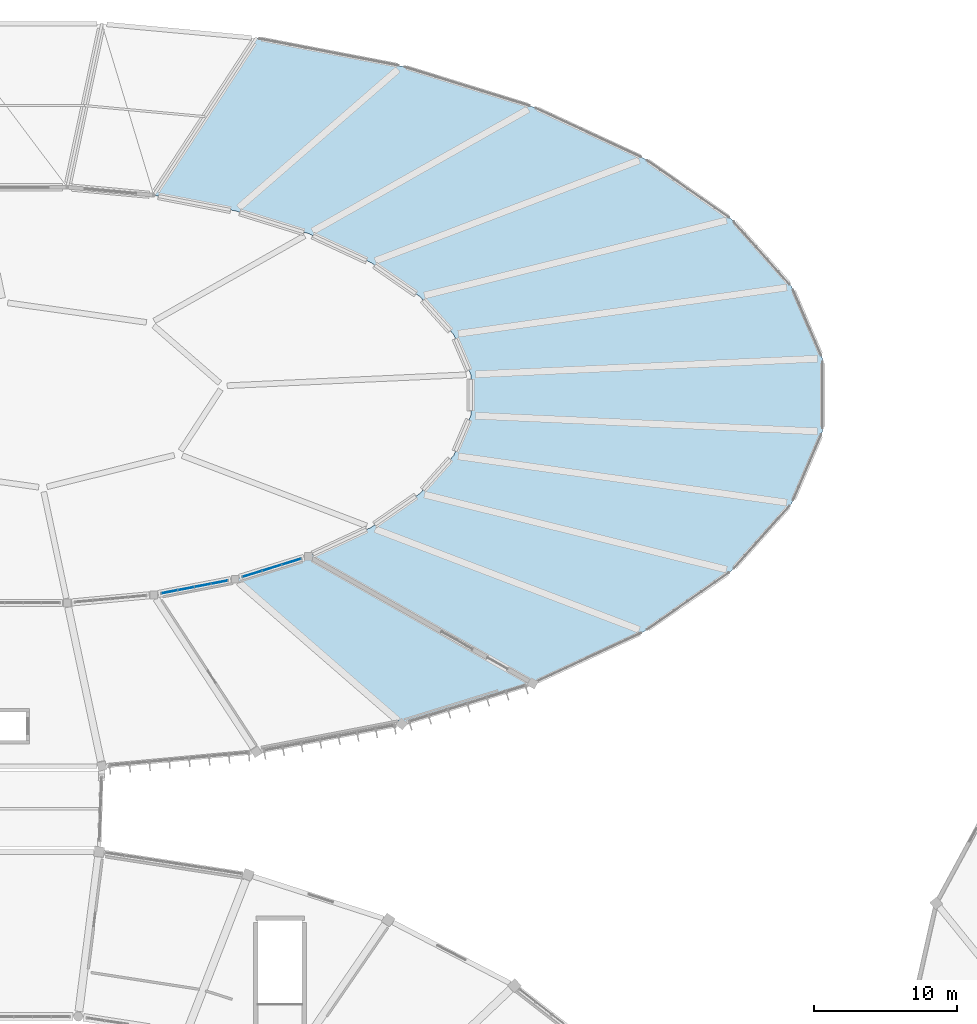
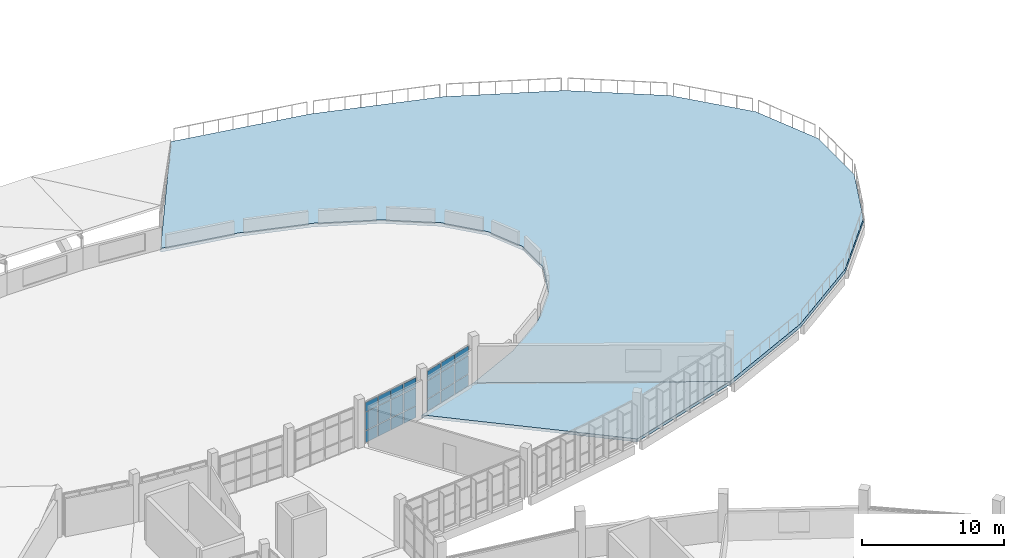
# One storey, part 85 of 142: 21 plates, 2 slabs, 2 elements without a shape of their own.
"""IFC4 building model written with IfcOpenShell, lengths in metres."""

from ifc_helpers import new_model, si_unit, direction, frame, origin, origin_2d, place, context, subcontext, project, spatial, polyline, rectangle, outline, extrude, material, layer, layer_set, type_object, element, aggregate, save


model = new_model("IFC4")

# Units and contexts
model_context = context("Model", 3, precision=1e-05, world=origin(), true_north=direction((0.0, 1.0)))
body_context = subcontext(model_context, "Body", "Model", "MODEL_VIEW")
ifc_project = project(units=[si_unit("LENGTHUNIT", "METRE"), si_unit("AREAUNIT", "SQUARE_METRE"), si_unit("VOLUMEUNIT", "CUBIC_METRE"), si_unit("PLANEANGLEUNIT", "RADIAN"), si_unit("MASSUNIT", "GRAM", prefix="KILO")], contexts=[model_context])

# Site, building, storey
site_placement = place(None, origin())
site = spatial("IfcSite", under=ifc_project, at=site_placement, CompositionType="ELEMENT")
building_placement = place(site_placement, origin())
building = spatial("IfcBuilding", under=site, at=building_placement, Name="Corvandel Quay Wholesale Market", CompositionType="ELEMENT")
storey_placement = place(building_placement, frame((0.0, 0.0, 10.800048828125)))
storey = spatial("IfcBuildingStorey", under=building, at=storey_placement, Name="L02", CompositionType="ELEMENT", Elevation=10.800048828125)

# Curtain wall, plates
ifc_material_1 = material(Name="Bronze anodised aluminium and low-E insulated glazing", Category="aluminium")
ifc_layer_1 = layer(ifc_material_1, 0.162109375)
ifc_layer_set_1 = layer_set([ifc_layer_1], Name="Bronze anodised aluminium and low-E insulated glazing")
curtain_wall_type_1 = type_object("IfcCurtainWallType", Name="Stick Curtain Wall System CW11 H3990", PredefinedType="NOTDEFINED", material=ifc_layer_set_1)
curtain_wall_1_placement = place(storey_placement, origin())
curtain_wall_1 = element("IfcCurtainWall", 1, at=curtain_wall_1_placement, inside=storey, type_object=curtain_wall_type_1, Name="Curtain Wall CW-0121", PredefinedType="NOTDEFINED")
ifc_material_2 = material(Name="Solar-control low-E insulated glazing", Category="glass")
ifc_layer_2 = layer(ifc_material_2, 0.0400390625)
ifc_layer_set_2 = layer_set([ifc_layer_2], Name="Solar-control low-E insulated glazing")
plate_type_1 = type_object("IfcPlateType", Name="Ceramic Fritted Spandrel Panel PN03 40mm", PredefinedType="CURTAIN_PANEL", material=ifc_layer_set_2)
plate_1_placement = place(storey_placement, frame((124.2509765625, 102.212158203125, 2.679931640625), z_axis=(0.0, 0.0, 1.0), x_axis=(0.982024659632, 0.188752663223, 0.0)))
plate_1 = element("IfcPlate", 2, at=plate_1_placement, type_object=plate_type_1, Name="Glazing Panel CW-0121-P00-2", PredefinedType="CURTAIN_PANEL", context=body_context, shape_type="SweptSolid", body=[
    extrude(rectangle(XDim=1.123046875, YDim=0.0400390625, at=origin_2d()), origin(), (0.0, 0.0, 1.0), 0.7900390625),
])
plate_2_placement = place(storey_placement, frame((125.41748046875, 102.436279296875, 2.679931640625), z_axis=(0.0, 0.0, 1.0), x_axis=(0.982024659632, 0.188752663223, 0.0)))
plate_2 = element("IfcPlate", 3, at=plate_2_placement, type_object=plate_type_1, Name="Glazing Panel CW-0121-P01-2", PredefinedType="CURTAIN_PANEL", context=body_context, shape_type="SweptSolid", body=[
    extrude(rectangle(XDim=1.123046875, YDim=0.0400390625, at=origin_2d()), origin(), (0.0, 0.0, 1.0), 0.7900390625),
])
plate_3_placement = place(storey_placement, frame((126.58447265625, 102.66064453125, 2.679931640625), z_axis=(0.0, 0.0, 1.0), x_axis=(0.982024659632, 0.188752663223, 0.0)))
plate_3 = element("IfcPlate", 4, at=plate_3_placement, type_object=plate_type_1, Name="Glazing Panel CW-0121-P02-2", PredefinedType="CURTAIN_PANEL", context=body_context, shape_type="SweptSolid", body=[
    extrude(rectangle(XDim=1.123046875, YDim=0.0400390625, at=origin_2d()), origin(), (0.0, 0.0, 1.0), 0.7900390625),
])
plate_4_placement = place(storey_placement, frame((127.751220703125, 102.884765625, 2.679931640625), z_axis=(0.0, 0.0, 1.0), x_axis=(0.982024659632, 0.188752663223, 0.0)))
plate_4 = element("IfcPlate", 5, at=plate_4_placement, type_object=plate_type_1, Name="Glazing Panel CW-0121-P03-2", PredefinedType="CURTAIN_PANEL", context=body_context, shape_type="SweptSolid", body=[
    extrude(rectangle(XDim=1.123046875, YDim=0.0400390625, at=origin_2d()), origin(), (0.0, 0.0, 1.0), 0.7900390625),
])

ifc_layer_3 = layer(ifc_material_1, 0.174072265625)
ifc_layer_set_3 = layer_set([ifc_layer_3], Name="Bronze anodised aluminium and low-E insulated glazing")
curtain_wall_type_2 = type_object("IfcCurtainWallType", Name="Stick Curtain Wall System CW12 H4080", PredefinedType="NOTDEFINED", material=ifc_layer_set_3)
curtain_wall_2_placement = place(storey_placement, origin())
curtain_wall_2 = element("IfcCurtainWall", 6, at=curtain_wall_2_placement, inside=storey, type_object=curtain_wall_type_2, Name="Curtain Wall CW-0124", PredefinedType="NOTDEFINED")
plate_5_placement = place(storey_placement, frame((130.048583984375, 103.46728515625, 2.679931640625), z_axis=(0.0, 0.0, 1.0), x_axis=(0.95507168618, 0.296374888035, 0.0)))
plate_5 = element("IfcPlate", 7, at=plate_5_placement, type_object=plate_type_1, Name="Glazing Panel CW-0124-P00-2", PredefinedType="CURTAIN_PANEL", context=body_context, shape_type="SweptSolid", body=[
    extrude(rectangle(XDim=1.374267578125, YDim=0.0400390625, at=origin_2d()), origin(), (0.0, 0.0, 1.0), 0.7900390625),
])
plate_6_placement = place(storey_placement, frame((131.423095703125, 103.89404296875, 2.679931640625), z_axis=(0.0, 0.0, 1.0), x_axis=(0.95507168618, 0.296374888035, 0.0)))
plate_6 = element("IfcPlate", 8, at=plate_6_placement, type_object=plate_type_1, Name="Glazing Panel CW-0124-P01-2", PredefinedType="CURTAIN_PANEL", context=body_context, shape_type="SweptSolid", body=[
    extrude(rectangle(XDim=1.374267578125, YDim=0.0400390625, at=origin_2d()), origin(), (0.0, 0.0, 1.0), 0.7900390625),
])
plate_7_placement = place(storey_placement, frame((132.797607421875, 104.320556640625, 2.679931640625), z_axis=(0.0, 0.0, 1.0), x_axis=(0.95507168618, 0.296374888035, 0.0)))
plate_7 = element("IfcPlate", 9, at=plate_7_placement, type_object=plate_type_1, Name="Glazing Panel CW-0124-P02-2", PredefinedType="CURTAIN_PANEL", context=body_context, shape_type="SweptSolid", body=[
    extrude(rectangle(XDim=1.374267578125, YDim=0.0400390625, at=origin_2d()), origin(), (0.0, 0.0, 1.0), 0.7900390625),
])

# Slab
ifc_material_3 = material(Name="Concrete C40/50", Category="concrete")
ifc_layer_4 = layer(ifc_material_3, 0.260009765625)
ifc_layer_set_4 = layer_set([ifc_layer_4], Name="Concrete C40/50")
slab_type_1 = type_object("IfcSlabType", Name="Composite Market Canteen Floor Slab 260", PredefinedType="FLOOR", material=ifc_layer_set_4)
slab_1_placement = place(storey_placement, frame((0.0, 0.0, -0.260009765625)))
element("IfcSlab", 10, at=slab_1_placement, inside=storey, type_object=slab_type_1, Name="Slab SLB-0358", PredefinedType="FLOOR", context=body_context, shape_type="SweptSolid", body=[
    extrude(outline(polyline([(128.85498046875, 103.096923828125), (133.990966796875, 104.69091796875), (149.697998046875, 95.803955078125), (140.52587890625, 92.958984375), (128.85498046875, 103.096923828125)])), origin(), (0.0, 0.0, 1.0), 0.260009765625),
])

# Plate
ifc_layer_5 = layer(ifc_material_2, 0.028076171875)
ifc_layer_set_5 = layer_set([ifc_layer_5], Name="Solar-control low-E insulated glazing")
plate_type_2 = type_object("IfcPlateType", Name="Double Low-E Vision Panel PN01 28mm", PredefinedType="CURTAIN_PANEL", material=ifc_layer_set_5)
plate_8_placement = place(storey_placement, frame((124.2509765625, 102.212158203125, 0.02978515625), z_axis=(0.0, 0.0, 1.0), x_axis=(0.982024659632, 0.188752663223, 0.0)))
plate_8 = element("IfcPlate", 11, at=plate_8_placement, type_object=plate_type_2, Name="Glazing Panel CW-0121-P00-0", PredefinedType="CURTAIN_PANEL", context=body_context, shape_type="SweptSolid", body=[
    extrude(rectangle(XDim=1.123046875, YDim=0.028076171875, at=origin_2d()), origin(), (0.0, 0.0, 1.0), 0.989990234375),
])

plate_9_placement = place(storey_placement, frame((124.2509765625, 102.212158203125, 1.079833984375), z_axis=(0.0, 0.0, 1.0), x_axis=(0.982024659632, 0.188752663223, 0.0)))
plate_9 = element("IfcPlate", 12, at=plate_9_placement, type_object=plate_type_2, Name="Glazing Panel CW-0121-P00-1", PredefinedType="CURTAIN_PANEL", context=body_context, shape_type="SweptSolid", body=[
    extrude(rectangle(XDim=1.123046875, YDim=0.028076171875, at=origin_2d()), origin(), (0.0, 0.0, 1.0), 1.5400390625),
])

plate_10_placement = place(storey_placement, frame((125.41748046875, 102.436279296875, 0.02978515625), z_axis=(0.0, 0.0, 1.0), x_axis=(0.982024659632, 0.188752663223, 0.0)))
plate_10 = element("IfcPlate", 13, at=plate_10_placement, type_object=plate_type_2, Name="Glazing Panel CW-0121-P01-0", PredefinedType="CURTAIN_PANEL", context=body_context, shape_type="SweptSolid", body=[
    extrude(rectangle(XDim=1.123046875, YDim=0.028076171875, at=origin_2d()), origin(), (0.0, 0.0, 1.0), 0.989990234375),
])

plate_11_placement = place(storey_placement, frame((125.41748046875, 102.436279296875, 1.079833984375), z_axis=(0.0, 0.0, 1.0), x_axis=(0.982024659632, 0.188752663223, 0.0)))
plate_11 = element("IfcPlate", 14, at=plate_11_placement, type_object=plate_type_2, Name="Glazing Panel CW-0121-P01-1", PredefinedType="CURTAIN_PANEL", context=body_context, shape_type="SweptSolid", body=[
    extrude(rectangle(XDim=1.123046875, YDim=0.028076171875, at=origin_2d()), origin(), (0.0, 0.0, 1.0), 1.5400390625),
])

plate_12_placement = place(storey_placement, frame((126.58447265625, 102.66064453125, 0.02978515625), z_axis=(0.0, 0.0, 1.0), x_axis=(0.982024659632, 0.188752663223, 0.0)))
plate_12 = element("IfcPlate", 15, at=plate_12_placement, type_object=plate_type_2, Name="Glazing Panel CW-0121-P02-0", PredefinedType="CURTAIN_PANEL", context=body_context, shape_type="SweptSolid", body=[
    extrude(rectangle(XDim=1.123046875, YDim=0.028076171875, at=origin_2d()), origin(), (0.0, 0.0, 1.0), 0.989990234375),
])

plate_13_placement = place(storey_placement, frame((126.58447265625, 102.66064453125, 1.079833984375), z_axis=(0.0, 0.0, 1.0), x_axis=(0.982024659632, 0.188752663223, 0.0)))
plate_13 = element("IfcPlate", 16, at=plate_13_placement, type_object=plate_type_2, Name="Glazing Panel CW-0121-P02-1", PredefinedType="CURTAIN_PANEL", context=body_context, shape_type="SweptSolid", body=[
    extrude(rectangle(XDim=1.123046875, YDim=0.028076171875, at=origin_2d()), origin(), (0.0, 0.0, 1.0), 1.5400390625),
])

plate_14_placement = place(storey_placement, frame((127.751220703125, 102.884765625, 0.02978515625), z_axis=(0.0, 0.0, 1.0), x_axis=(0.982024659632, 0.188752663223, 0.0)))
plate_14 = element("IfcPlate", 17, at=plate_14_placement, type_object=plate_type_2, Name="Glazing Panel CW-0121-P03-0", PredefinedType="CURTAIN_PANEL", context=body_context, shape_type="SweptSolid", body=[
    extrude(rectangle(XDim=1.123046875, YDim=0.028076171875, at=origin_2d()), origin(), (0.0, 0.0, 1.0), 0.989990234375),
])

plate_15_placement = place(storey_placement, frame((127.751220703125, 102.884765625, 1.079833984375), z_axis=(0.0, 0.0, 1.0), x_axis=(0.982024659632, 0.188752663223, 0.0)))
plate_15 = element("IfcPlate", 18, at=plate_15_placement, type_object=plate_type_2, Name="Glazing Panel CW-0121-P03-1", PredefinedType="CURTAIN_PANEL", context=body_context, shape_type="SweptSolid", body=[
    extrude(rectangle(XDim=1.123046875, YDim=0.028076171875, at=origin_2d()), origin(), (0.0, 0.0, 1.0), 1.5400390625),
])

aggregate(curtain_wall_1, [plate_8, plate_9, plate_1, plate_10, plate_11, plate_2, plate_12, plate_13, plate_3, plate_14, plate_15, plate_4])

plate_16_placement = place(storey_placement, frame((130.048583984375, 103.46728515625, 0.02978515625), z_axis=(0.0, 0.0, 1.0), x_axis=(0.95507168618, 0.296374888035, 0.0)))
plate_16 = element("IfcPlate", 19, at=plate_16_placement, type_object=plate_type_2, Name="Glazing Panel CW-0124-P00-0", PredefinedType="CURTAIN_PANEL", context=body_context, shape_type="SweptSolid", body=[
    extrude(rectangle(XDim=1.374267578125, YDim=0.028076171875, at=origin_2d()), origin(), (0.0, 0.0, 1.0), 0.989990234375),
])

plate_17_placement = place(storey_placement, frame((130.048583984375, 103.46728515625, 1.079833984375), z_axis=(0.0, 0.0, 1.0), x_axis=(0.95507168618, 0.296374888035, 0.0)))
plate_17 = element("IfcPlate", 20, at=plate_17_placement, type_object=plate_type_2, Name="Glazing Panel CW-0124-P00-1", PredefinedType="CURTAIN_PANEL", context=body_context, shape_type="SweptSolid", body=[
    extrude(rectangle(XDim=1.374267578125, YDim=0.028076171875, at=origin_2d()), origin(), (0.0, 0.0, 1.0), 1.5400390625),
])

plate_18_placement = place(storey_placement, frame((131.423095703125, 103.89404296875, 0.02978515625), z_axis=(0.0, 0.0, 1.0), x_axis=(0.95507168618, 0.296374888035, 0.0)))
plate_18 = element("IfcPlate", 21, at=plate_18_placement, type_object=plate_type_2, Name="Glazing Panel CW-0124-P01-0", PredefinedType="CURTAIN_PANEL", context=body_context, shape_type="SweptSolid", body=[
    extrude(rectangle(XDim=1.374267578125, YDim=0.028076171875, at=origin_2d()), origin(), (0.0, 0.0, 1.0), 0.989990234375),
])

plate_19_placement = place(storey_placement, frame((131.423095703125, 103.89404296875, 1.079833984375), z_axis=(0.0, 0.0, 1.0), x_axis=(0.95507168618, 0.296374888035, 0.0)))
plate_19 = element("IfcPlate", 22, at=plate_19_placement, type_object=plate_type_2, Name="Glazing Panel CW-0124-P01-1", PredefinedType="CURTAIN_PANEL", context=body_context, shape_type="SweptSolid", body=[
    extrude(rectangle(XDim=1.374267578125, YDim=0.028076171875, at=origin_2d()), origin(), (0.0, 0.0, 1.0), 1.5400390625),
])

plate_20_placement = place(storey_placement, frame((132.797607421875, 104.320556640625, 0.02978515625), z_axis=(0.0, 0.0, 1.0), x_axis=(0.95507168618, 0.296374888035, 0.0)))
plate_20 = element("IfcPlate", 23, at=plate_20_placement, type_object=plate_type_2, Name="Glazing Panel CW-0124-P02-0", PredefinedType="CURTAIN_PANEL", context=body_context, shape_type="SweptSolid", body=[
    extrude(rectangle(XDim=1.374267578125, YDim=0.028076171875, at=origin_2d()), origin(), (0.0, 0.0, 1.0), 0.989990234375),
])

plate_21_placement = place(storey_placement, frame((132.797607421875, 104.320556640625, 1.079833984375), z_axis=(0.0, 0.0, 1.0), x_axis=(0.95507168618, 0.296374888035, 0.0)))
plate_21 = element("IfcPlate", 24, at=plate_21_placement, type_object=plate_type_2, Name="Glazing Panel CW-0124-P02-1", PredefinedType="CURTAIN_PANEL", context=body_context, shape_type="SweptSolid", body=[
    extrude(rectangle(XDim=1.374267578125, YDim=0.028076171875, at=origin_2d()), origin(), (0.0, 0.0, 1.0), 1.5400390625),
])

aggregate(curtain_wall_2, [plate_16, plate_17, plate_5, plate_18, plate_19, plate_6, plate_20, plate_21, plate_7])

# Slab
ifc_layer_6 = layer(ifc_material_3, 0.320068359375)
ifc_layer_set_6 = layer_set([ifc_layer_6], Name="Concrete C40/50")
slab_type_2 = type_object("IfcSlabType", Name="Planted Roof Garden Terrace Slab 320", PredefinedType="FLOOR", material=ifc_layer_set_6)
slab_2_placement = place(storey_placement, frame((0.0, 0.0, -0.320068359375)))
element("IfcSlab", 25, at=slab_2_placement, inside=storey, type_object=slab_type_2, Name="Slab SLB-0380", PredefinedType="FLOOR", context=body_context, shape_type="SweptSolid", body=[
    extrude(outline(polyline([(138.35888671875, 106.718994140625), (141.791015625, 109.10302734375), (144.155029296875, 111.7529296875), (145.360107421875, 114.56591796875), (145.360107421875, 117.43408203125), (144.155029296875, 120.2470703125), (141.791015625, 122.89697265625), (138.35888671875, 125.281005859375), (133.990966796875, 127.30908203125), (128.85498046875, 128.903076171875), (123.14697265625, 130.0), (130.3349609375, 141.0009765625), (140.52587890625, 139.041015625), (149.697998046875, 136.196044921875), (157.498046875, 132.573974609375), (163.626953125, 128.31591796875), (167.847900390625, 123.583984375), (170.0, 118.56103515625), (170.0, 113.43896484375), (167.847900390625, 108.416015625), (163.626953125, 103.68408203125), (157.498046875, 99.426025390625), (149.697998046875, 95.803955078125), (133.990966796875, 104.69091796875), (138.35888671875, 106.718994140625)])), origin(), (0.0, 0.0, 1.0), 0.320068359375),
])

save(model, "model.ifc")
